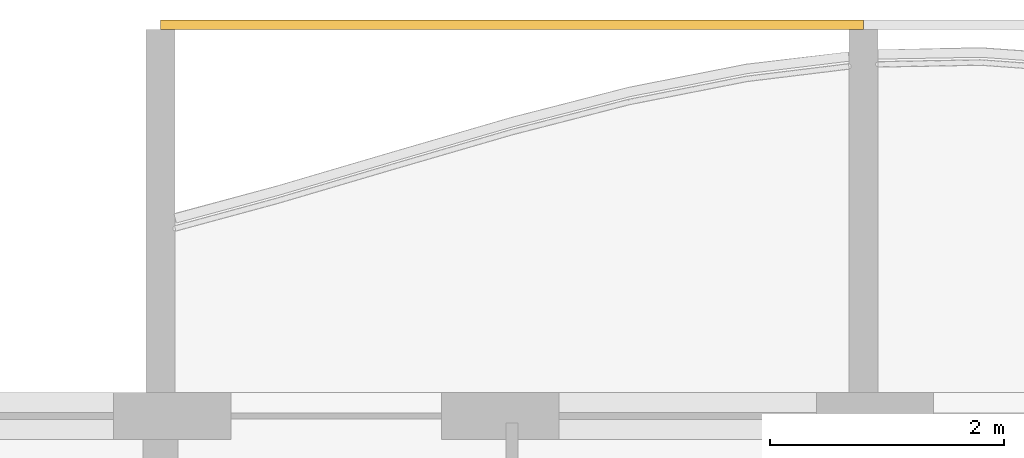
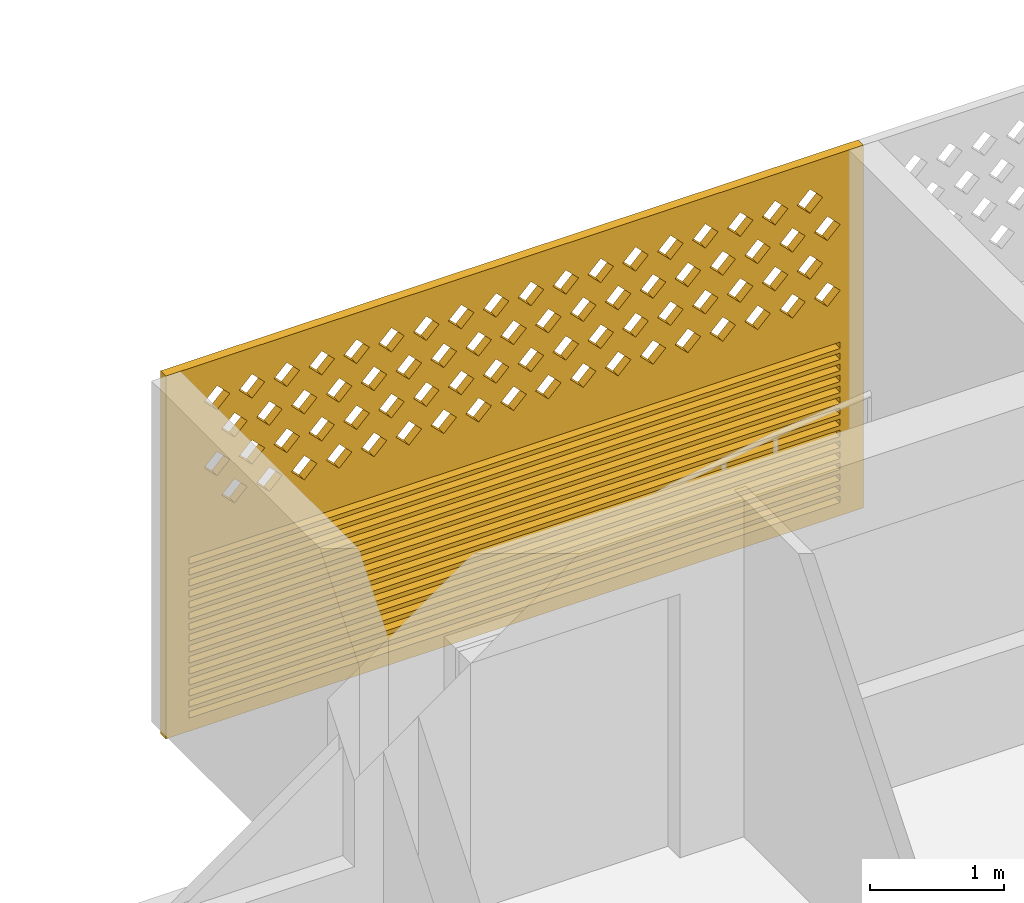
# One storey, part 24 of 32: 1 covering.
"""IFC4 building model written with IfcOpenShell, lengths in metres."""

import ifcopenshell
import ifcopenshell.guid

model = None  # the IFC model being written
_history = None  # IfcOwnerHistory: only IFC2X3 demands one
_inside = {}  # id of a spatial element -> (the spatial element, [elements in it])
_under = {}  # id of a project, library or spatial element -> (it, [spatial elements below it])
_declared = {}  # id of a project -> (the project, [libraries it declares])
_typed = {}  # id of a type object -> (the type object, [elements of that type])
_made_of = {}  # id of a material, layer set ... -> (it, [elements and type objects made of it])


def new_model(schema):
    """Start an empty IFC model of exactly this schema.

    Asked for "IFC4X3", IfcOpenShell would pick the latest addendum, in which some entities
    have other attributes; the version numbers below select the first issue.
    IFC2X3 requires an IfcOwnerHistory on every rooted entity: one is made here for all.
    """
    global model, _history
    if schema == "IFC4X3":
        model = ifcopenshell.file(schema_version=(4, 3, 0, 0))
    else:
        model = ifcopenshell.file(schema=schema)
    _inside.clear()
    _under.clear()
    _declared.clear()
    _typed.clear()
    _made_of.clear()
    _history = None
    if model.schema == "IFC2X3":
        org = make("IfcOrganization", Name="unknown")
        user = make(
            "IfcPersonAndOrganization",
            ThePerson=make("IfcPerson", FamilyName="unknown"),
            TheOrganization=org,
        )
        app = make(
            "IfcApplication",
            ApplicationDeveloper=org,
            Version="unknown",
            ApplicationFullName="unknown",
            ApplicationIdentifier="unknown",
        )
        _history = make(
            "IfcOwnerHistory",
            OwningUser=user,
            OwningApplication=app,
            ChangeAction="ADDED",
            CreationDate=0,
        )
    return model


def make(cls, **values):
    """One entity of the class cls with the attributes given. An attribute that is None is left unset."""
    return model.create_entity(
        cls, **{name: value for name, value in values.items() if value is not None}
    )


def rooted(cls, **values):
    """An entity with a GlobalId (a new one), such as an element, a storey or a relation."""
    return make(cls, GlobalId=ifcopenshell.guid.new(), OwnerHistory=_history, **values)


def si_unit(unit_type, name, prefix=None):
    """IfcSIUnit, for example si_unit("LENGTHUNIT", "METRE", prefix="MILLI")."""
    return make("IfcSIUnit", UnitType=unit_type, Prefix=prefix, Name=name)


def assignment(units):
    """IfcUnitAssignment: the units of a project."""
    return None if units is None else make("IfcUnitAssignment", Units=units)


def point(xyz):
    """IfcCartesianPoint."""
    return None if xyz is None else make("IfcCartesianPoint", Coordinates=xyz)


def direction(xyz):
    """IfcDirection."""
    return None if xyz is None else make("IfcDirection", DirectionRatios=xyz)


def frame(location, z_axis=None, x_axis=None):
    """IfcAxis2Placement3D, a coordinate frame: its origin and axes. An axis left out is left unset."""
    return make(
        "IfcAxis2Placement3D",
        Location=point(location),
        Axis=direction(z_axis),
        RefDirection=direction(x_axis),
    )


def origin():
    """The frame at (0, 0, 0) with its axes left unset."""
    return frame((0.0, 0.0, 0.0))


def place(relative_to, where):
    """IfcLocalPlacement: puts the frame where relative to a parent placement (None: the world)."""
    return make(
        "IfcLocalPlacement", PlacementRelTo=relative_to, RelativePlacement=where
    )


def context(
    kind, dimensions, precision=None, world=None, true_north=None, identifier=None
):
    """IfcGeometricRepresentationContext, for example the 3D "Model" context."""
    return make(
        "IfcGeometricRepresentationContext",
        ContextIdentifier=identifier,
        ContextType=kind,
        CoordinateSpaceDimension=dimensions,
        Precision=precision,
        WorldCoordinateSystem=world,
        TrueNorth=true_north,
    )


def subcontext(parent, identifier, kind, view, scale=None):
    """IfcGeometricRepresentationSubContext, for example "Body" below "Model"."""
    return make(
        "IfcGeometricRepresentationSubContext",
        ContextIdentifier=identifier,
        ContextType=kind,
        ParentContext=parent,
        TargetScale=scale,
        TargetView=view,
    )


def project(units=None, contexts=None):
    """IfcProject with its units and contexts."""
    return rooted(
        "IfcProject",
        Name="project",
        RepresentationContexts=contexts,
        UnitsInContext=assignment(units),
    )


def spatial(cls, under=None, at=None, **own):
    """A site, building, storey or space (cls), placed at a placement, below another one or the project."""
    s = rooted(cls, ObjectPlacement=at, **own)
    if under is not None:
        _under.setdefault(under.id(), (under, []))[1].append(s)
    return s


def polyline(points):
    """IfcPolyline through the points."""
    return make("IfcPolyline", Points=[point(p) for p in points])


def outline(outer, holes=None, kind="AREA"):
    """IfcArbitraryClosedProfileDef: a profile drawn as a closed curve; with holes, ...WithVoids."""
    if holes is None:
        return make("IfcArbitraryClosedProfileDef", ProfileType=kind, OuterCurve=outer)
    return make(
        "IfcArbitraryProfileDefWithVoids",
        ProfileType=kind,
        OuterCurve=outer,
        InnerCurves=holes,
    )


def extrude(swept, where, along, depth):
    """IfcExtrudedAreaSolid: the profile swept, set in the frame where, extruded along a direction by depth."""
    return make(
        "IfcExtrudedAreaSolid",
        SweptArea=swept,
        Position=where,
        ExtrudedDirection=direction(along),
        Depth=depth,
    )


def shape(context_of_items, identifier, shape_type, items):
    """IfcShapeRepresentation: the items that make up one representation, for example the "Body"."""
    return make(
        "IfcShapeRepresentation",
        ContextOfItems=context_of_items,
        RepresentationIdentifier=identifier,
        RepresentationType=shape_type,
        Items=items,
    )


def source(mapping_origin, context_of_items, identifier, shape_type, items):
    """IfcRepresentationMap: a shape defined once, which mapped items show again and again."""
    return make(
        "IfcRepresentationMap",
        MappingOrigin=mapping_origin,
        MappedRepresentation=shape(context_of_items, identifier, shape_type, items),
    )


def transform(
    local_origin,
    x_axis=None,
    y_axis=None,
    z_axis=None,
    scale=None,
    scale2=None,
    scale3=None,
    uniform=True,
):
    """IfcCartesianTransformationOperator3D, or its non-uniform kind. x_axis, y_axis, z_axis: its Axis1, 2, 3."""
    if uniform:
        return make(
            "IfcCartesianTransformationOperator3D",
            Axis1=direction(x_axis),
            Axis2=direction(y_axis),
            LocalOrigin=point(local_origin),
            Scale=scale,
            Axis3=direction(z_axis),
        )
    return make(
        "IfcCartesianTransformationOperator3DnonUniform",
        Axis1=direction(x_axis),
        Axis2=direction(y_axis),
        LocalOrigin=point(local_origin),
        Scale=scale,
        Axis3=direction(z_axis),
        Scale2=scale2,
        Scale3=scale3,
    )


def mapped(mapping_source, mapping_target):
    """IfcMappedItem: shows the shape of a source again, moved by a transform."""
    return make(
        "IfcMappedItem", MappingSource=mapping_source, MappingTarget=mapping_target
    )


def material(Name=None, Category=None):
    """IfcMaterial."""
    return make("IfcMaterial", Name=Name, Category=Category)


def material_profile(
    of_material, cross_section, Name=None, Category=None, Priority=None
):
    """IfcMaterialProfile: a cross section and its material."""
    return make(
        "IfcMaterialProfile",
        Name=Name,
        Material=of_material,
        Profile=cross_section,
        Priority=Priority,
        Category=Category,
    )


def profile_set(profiles, Name=None, composite=None):
    """IfcMaterialProfileSet."""
    return make(
        "IfcMaterialProfileSet",
        Name=Name,
        MaterialProfiles=profiles,
        CompositeProfile=composite,
    )


def made_of(thing, what):
    """Note that an element or type object is made of a material, layer set ...; save() writes the relation."""
    if what is not None:
        _made_of.setdefault(what.id(), (what, []))[1].append(thing)
    return thing


def type_object(cls, material=None, **own):
    """A type object (cls), such as IfcWallType, which elements share."""
    return made_of(rooted(cls, **own), material)


def element(
    cls,
    number,
    at=None,
    inside=None,
    cuts=None,
    type_object=None,
    material=None,
    context=None,
    identifier="Body",
    shape_type=None,
    held_by="IfcProductDefinitionShape",
    body=None,
    shapes=None,
    **own,
):
    """One element of the class cls, such as IfcWall. Its Tag is "e" and its number.

    at: its placement. inside: the storey or other place that contains it. cuts: it is an
    opening in that element (IfcRelVoidsElement). A single representation is given by context,
    identifier, shape_type and body (its items); several are given by shapes. held_by: the class
    of the entity that holds the representations. save() writes the other relations.
    """
    e = rooted(cls, Tag="e%d" % number, ObjectPlacement=at, **own)
    if body is not None:
        shapes = [shape(context, identifier, shape_type, body)]
    if shapes is not None:
        e.Representation = make(held_by, Representations=shapes)
    if inside is not None:
        _inside.setdefault(inside.id(), (inside, []))[1].append(e)
    if cuts is not None:
        rooted(
            "IfcRelVoidsElement", RelatingBuildingElement=cuts, RelatedOpeningElement=e
        )
    if type_object is not None:
        _typed.setdefault(type_object.id(), (type_object, []))[1].append(e)
    return made_of(e, material)


def aggregate(whole, parts):
    """IfcRelAggregates: a whole, such as a stair, and the parts it consists of."""
    return rooted("IfcRelAggregates", RelatingObject=whole, RelatedObjects=parts)


def save(model, path):
    """Write the relations noted so far, then the file.

    IfcRelAggregates (storeys below a building ...), IfcRelContainedInSpatialStructure (elements
    in a storey), IfcRelDefinesByType, IfcRelAssociatesMaterial and IfcRelDeclares: one each for
    every whole, place, type object, material and project.
    """
    for whole, parts in _under.values():
        aggregate(whole, parts)
    for where, things in _inside.values():
        rooted(
            "IfcRelContainedInSpatialStructure",
            RelatedElements=things,
            RelatingStructure=where,
        )
    for kind, things in _typed.values():
        rooted("IfcRelDefinesByType", RelatedObjects=things, RelatingType=kind)
    for what, things in _made_of.values():
        rooted("IfcRelAssociatesMaterial", RelatedObjects=things, RelatingMaterial=what)
    for by, libraries in _declared.values():
        rooted("IfcRelDeclares", RelatingContext=by, RelatedDefinitions=libraries)
    model.write(path)


model = new_model("IFC4")

# Units and contexts
model_context = context("Model", 3, precision=1e-05, world=origin(), true_north=direction((0.0, 1.0)))
body_context = subcontext(model_context, "Body", "Model", "MODEL_VIEW")
ifc_project = project(units=[si_unit("LENGTHUNIT", "METRE"), si_unit("AREAUNIT", "SQUARE_METRE"), si_unit("VOLUMEUNIT", "CUBIC_METRE"), si_unit("PLANEANGLEUNIT", "RADIAN"), si_unit("MASSUNIT", "GRAM", prefix="KILO")], contexts=[model_context])

# Site, building, storey
site_placement = place(None, origin())
site = spatial("IfcSite", under=ifc_project, at=site_placement, CompositionType="ELEMENT")
building_placement = place(site_placement, origin())
building = spatial("IfcBuilding", under=site, at=building_placement, Name="Poui Terraces", CompositionType="ELEMENT")
storey_placement = place(building_placement, frame((0.0, 0.0, 152.10009765625)))
storey = spatial("IfcBuildingStorey", under=building, at=storey_placement, Name="L42", CompositionType="ELEMENT", Elevation=152.10009765625)

# Covering
ifc_material = material(Name="Terracotta screen", Category="masonry")
ifc_material_profile = material_profile(ifc_material, outline(polyline([(-3.0, -1.64990234375), (3.0, -1.64990234375), (3.0, 1.64990234375), (-3.0, 1.64990234375), (-3.0, -1.64990234375)]), holes=[polyline([(-2.800048828125, 0.39990234375), (-2.68994140625, 0.2900390625), (-2.580078125, 0.39990234375), (-2.68994140625, 0.510009765625), (-2.800048828125, 0.39990234375)]), polyline([(-2.5, 0.39990234375), (-2.389892578125, 0.2900390625), (-2.280029296875, 0.39990234375), (-2.389892578125, 0.510009765625), (-2.5, 0.39990234375)]), polyline([(-2.199951171875, 0.39990234375), (-2.090087890625, 0.2900390625), (-1.97998046875, 0.39990234375), (-2.090087890625, 0.510009765625), (-2.199951171875, 0.39990234375)]), polyline([(-1.89990234375, 0.39990234375), (-1.7900390625, 0.2900390625), (-1.679931640625, 0.39990234375), (-1.7900390625, 0.510009765625), (-1.89990234375, 0.39990234375)]), polyline([(-1.60009765625, 0.39990234375), (-1.489990234375, 0.2900390625), (-1.3798828125, 0.39990234375), (-1.489990234375, 0.510009765625), (-1.60009765625, 0.39990234375)]), polyline([(-1.300048828125, 0.39990234375), (-1.18994140625, 0.2900390625), (-1.080078125, 0.39990234375), (-1.18994140625, 0.510009765625), (-1.300048828125, 0.39990234375)]), polyline([(-1.0, 0.39990234375), (-0.889892578125, 0.2900390625), (-0.780029296875, 0.39990234375), (-0.889892578125, 0.510009765625), (-1.0, 0.39990234375)]), polyline([(-0.699951171875, 0.39990234375), (-0.590087890625, 0.2900390625), (-0.47998046875, 0.39990234375), (-0.590087890625, 0.510009765625), (-0.699951171875, 0.39990234375)]), polyline([(-0.39990234375, 0.39990234375), (-0.2900390625, 0.2900390625), (-0.179931640625, 0.39990234375), (-0.2900390625, 0.510009765625), (-0.39990234375, 0.39990234375)]), polyline([(-0.10009765625, 0.39990234375), (0.010009765625, 0.2900390625), (0.1201171875, 0.39990234375), (0.010009765625, 0.510009765625), (-0.10009765625, 0.39990234375)]), polyline([(0.199951171875, 0.39990234375), (0.31005859375, 0.2900390625), (0.419921875, 0.39990234375), (0.31005859375, 0.510009765625), (0.199951171875, 0.39990234375)]), polyline([(0.5, 0.39990234375), (0.610107421875, 0.2900390625), (0.719970703125, 0.39990234375), (0.610107421875, 0.510009765625), (0.5, 0.39990234375)]), polyline([(0.800048828125, 0.39990234375), (0.909912109375, 0.2900390625), (1.02001953125, 0.39990234375), (0.909912109375, 0.510009765625), (0.800048828125, 0.39990234375)]), polyline([(1.10009765625, 0.39990234375), (1.2099609375, 0.2900390625), (1.320068359375, 0.39990234375), (1.2099609375, 0.510009765625), (1.10009765625, 0.39990234375)]), polyline([(1.39990234375, 0.39990234375), (1.510009765625, 0.2900390625), (1.6201171875, 0.39990234375), (1.510009765625, 0.510009765625), (1.39990234375, 0.39990234375)]), polyline([(1.699951171875, 0.39990234375), (1.81005859375, 0.2900390625), (1.919921875, 0.39990234375), (1.81005859375, 0.510009765625), (1.699951171875, 0.39990234375)]), polyline([(2.0, 0.39990234375), (2.110107421875, 0.2900390625), (2.219970703125, 0.39990234375), (2.110107421875, 0.510009765625), (2.0, 0.39990234375)]), polyline([(2.300048828125, 0.39990234375), (2.409912109375, 0.2900390625), (2.52001953125, 0.39990234375), (2.409912109375, 0.510009765625), (2.300048828125, 0.39990234375)]), polyline([(-2.64990234375, 0.699951171875), (-2.5400390625, 0.590087890625), (-2.429931640625, 0.699951171875), (-2.5400390625, 0.81005859375), (-2.64990234375, 0.699951171875)]), polyline([(-2.35009765625, 0.699951171875), (-2.239990234375, 0.590087890625), (-2.1298828125, 0.699951171875), (-2.239990234375, 0.81005859375), (-2.35009765625, 0.699951171875)]), polyline([(-2.050048828125, 0.699951171875), (-1.93994140625, 0.590087890625), (-1.830078125, 0.699951171875), (-1.93994140625, 0.81005859375), (-2.050048828125, 0.699951171875)]), polyline([(-1.75, 0.699951171875), (-1.639892578125, 0.590087890625), (-1.530029296875, 0.699951171875), (-1.639892578125, 0.81005859375), (-1.75, 0.699951171875)]), polyline([(-1.449951171875, 0.699951171875), (-1.340087890625, 0.590087890625), (-1.22998046875, 0.699951171875), (-1.340087890625, 0.81005859375), (-1.449951171875, 0.699951171875)]), polyline([(-1.14990234375, 0.699951171875), (-1.0400390625, 0.590087890625), (-0.929931640625, 0.699951171875), (-1.0400390625, 0.81005859375), (-1.14990234375, 0.699951171875)]), polyline([(-0.85009765625, 0.699951171875), (-0.739990234375, 0.590087890625), (-0.6298828125, 0.699951171875), (-0.739990234375, 0.81005859375), (-0.85009765625, 0.699951171875)]), polyline([(-0.550048828125, 0.699951171875), (-0.43994140625, 0.590087890625), (-0.330078125, 0.699951171875), (-0.43994140625, 0.81005859375), (-0.550048828125, 0.699951171875)]), polyline([(-0.25, 0.699951171875), (-0.139892578125, 0.590087890625), (-0.030029296875, 0.699951171875), (-0.139892578125, 0.81005859375), (-0.25, 0.699951171875)]), polyline([(0.050048828125, 0.699951171875), (0.159912109375, 0.590087890625), (0.27001953125, 0.699951171875), (0.159912109375, 0.81005859375), (0.050048828125, 0.699951171875)]), polyline([(0.35009765625, 0.699951171875), (0.4599609375, 0.590087890625), (0.570068359375, 0.699951171875), (0.4599609375, 0.81005859375), (0.35009765625, 0.699951171875)]), polyline([(0.64990234375, 0.699951171875), (0.760009765625, 0.590087890625), (0.8701171875, 0.699951171875), (0.760009765625, 0.81005859375), (0.64990234375, 0.699951171875)]), polyline([(0.949951171875, 0.699951171875), (1.06005859375, 0.590087890625), (1.169921875, 0.699951171875), (1.06005859375, 0.81005859375), (0.949951171875, 0.699951171875)]), polyline([(1.25, 0.699951171875), (1.360107421875, 0.590087890625), (1.469970703125, 0.699951171875), (1.360107421875, 0.81005859375), (1.25, 0.699951171875)]), polyline([(1.550048828125, 0.699951171875), (1.659912109375, 0.590087890625), (1.77001953125, 0.699951171875), (1.659912109375, 0.81005859375), (1.550048828125, 0.699951171875)]), polyline([(1.85009765625, 0.699951171875), (1.9599609375, 0.590087890625), (2.070068359375, 0.699951171875), (1.9599609375, 0.81005859375), (1.85009765625, 0.699951171875)]), polyline([(2.14990234375, 0.699951171875), (2.260009765625, 0.590087890625), (2.3701171875, 0.699951171875), (2.260009765625, 0.81005859375), (2.14990234375, 0.699951171875)]), polyline([(2.449951171875, 0.699951171875), (2.56005859375, 0.590087890625), (2.669921875, 0.699951171875), (2.56005859375, 0.81005859375), (2.449951171875, 0.699951171875)]), polyline([(-2.800048828125, 1.0), (-2.68994140625, 0.889892578125), (-2.580078125, 1.0), (-2.68994140625, 1.110107421875), (-2.800048828125, 1.0)]), polyline([(-2.5, 1.0), (-2.389892578125, 0.889892578125), (-2.280029296875, 1.0), (-2.389892578125, 1.110107421875), (-2.5, 1.0)]), polyline([(-2.199951171875, 1.0), (-2.090087890625, 0.889892578125), (-1.97998046875, 1.0), (-2.090087890625, 1.110107421875), (-2.199951171875, 1.0)]), polyline([(-1.89990234375, 1.0), (-1.7900390625, 0.889892578125), (-1.679931640625, 1.0), (-1.7900390625, 1.110107421875), (-1.89990234375, 1.0)]), polyline([(-1.60009765625, 1.0), (-1.489990234375, 0.889892578125), (-1.3798828125, 1.0), (-1.489990234375, 1.110107421875), (-1.60009765625, 1.0)]), polyline([(-1.300048828125, 1.0), (-1.18994140625, 0.889892578125), (-1.080078125, 1.0), (-1.18994140625, 1.110107421875), (-1.300048828125, 1.0)]), polyline([(-1.0, 1.0), (-0.889892578125, 0.889892578125), (-0.780029296875, 1.0), (-0.889892578125, 1.110107421875), (-1.0, 1.0)]), polyline([(-0.699951171875, 1.0), (-0.590087890625, 0.889892578125), (-0.47998046875, 1.0), (-0.590087890625, 1.110107421875), (-0.699951171875, 1.0)]), polyline([(-0.39990234375, 1.0), (-0.2900390625, 0.889892578125), (-0.179931640625, 1.0), (-0.2900390625, 1.110107421875), (-0.39990234375, 1.0)]), polyline([(-0.10009765625, 1.0), (0.010009765625, 0.889892578125), (0.1201171875, 1.0), (0.010009765625, 1.110107421875), (-0.10009765625, 1.0)]), polyline([(0.199951171875, 1.0), (0.31005859375, 0.889892578125), (0.419921875, 1.0), (0.31005859375, 1.110107421875), (0.199951171875, 1.0)]), polyline([(0.5, 1.0), (0.610107421875, 0.889892578125), (0.719970703125, 1.0), (0.610107421875, 1.110107421875), (0.5, 1.0)]), polyline([(0.800048828125, 1.0), (0.909912109375, 0.889892578125), (1.02001953125, 1.0), (0.909912109375, 1.110107421875), (0.800048828125, 1.0)]), polyline([(1.10009765625, 1.0), (1.2099609375, 0.889892578125), (1.320068359375, 1.0), (1.2099609375, 1.110107421875), (1.10009765625, 1.0)]), polyline([(1.39990234375, 1.0), (1.510009765625, 0.889892578125), (1.6201171875, 1.0), (1.510009765625, 1.110107421875), (1.39990234375, 1.0)]), polyline([(1.699951171875, 1.0), (1.81005859375, 0.889892578125), (1.919921875, 1.0), (1.81005859375, 1.110107421875), (1.699951171875, 1.0)]), polyline([(2.0, 1.0), (2.110107421875, 0.889892578125), (2.219970703125, 1.0), (2.110107421875, 1.110107421875), (2.0, 1.0)]), polyline([(2.300048828125, 1.0), (2.409912109375, 0.889892578125), (2.52001953125, 1.0), (2.409912109375, 1.110107421875), (2.300048828125, 1.0)]), polyline([(-2.64990234375, 1.300048828125), (-2.5400390625, 1.18994140625), (-2.429931640625, 1.300048828125), (-2.5400390625, 1.409912109375), (-2.64990234375, 1.300048828125)]), polyline([(-2.35009765625, 1.300048828125), (-2.239990234375, 1.18994140625), (-2.1298828125, 1.300048828125), (-2.239990234375, 1.409912109375), (-2.35009765625, 1.300048828125)]), polyline([(-2.050048828125, 1.300048828125), (-1.93994140625, 1.18994140625), (-1.830078125, 1.300048828125), (-1.93994140625, 1.409912109375), (-2.050048828125, 1.300048828125)]), polyline([(-1.75, 1.300048828125), (-1.639892578125, 1.18994140625), (-1.530029296875, 1.300048828125), (-1.639892578125, 1.409912109375), (-1.75, 1.300048828125)]), polyline([(-1.449951171875, 1.300048828125), (-1.340087890625, 1.18994140625), (-1.22998046875, 1.300048828125), (-1.340087890625, 1.409912109375), (-1.449951171875, 1.300048828125)]), polyline([(-1.14990234375, 1.300048828125), (-1.0400390625, 1.18994140625), (-0.929931640625, 1.300048828125), (-1.0400390625, 1.409912109375), (-1.14990234375, 1.300048828125)]), polyline([(-0.85009765625, 1.300048828125), (-0.739990234375, 1.18994140625), (-0.6298828125, 1.300048828125), (-0.739990234375, 1.409912109375), (-0.85009765625, 1.300048828125)]), polyline([(-0.550048828125, 1.300048828125), (-0.43994140625, 1.18994140625), (-0.330078125, 1.300048828125), (-0.43994140625, 1.409912109375), (-0.550048828125, 1.300048828125)]), polyline([(-0.25, 1.300048828125), (-0.139892578125, 1.18994140625), (-0.030029296875, 1.300048828125), (-0.139892578125, 1.409912109375), (-0.25, 1.300048828125)]), polyline([(0.050048828125, 1.300048828125), (0.159912109375, 1.18994140625), (0.27001953125, 1.300048828125), (0.159912109375, 1.409912109375), (0.050048828125, 1.300048828125)]), polyline([(0.35009765625, 1.300048828125), (0.4599609375, 1.18994140625), (0.570068359375, 1.300048828125), (0.4599609375, 1.409912109375), (0.35009765625, 1.300048828125)]), polyline([(0.64990234375, 1.300048828125), (0.760009765625, 1.18994140625), (0.8701171875, 1.300048828125), (0.760009765625, 1.409912109375), (0.64990234375, 1.300048828125)]), polyline([(0.949951171875, 1.300048828125), (1.06005859375, 1.18994140625), (1.169921875, 1.300048828125), (1.06005859375, 1.409912109375), (0.949951171875, 1.300048828125)]), polyline([(1.25, 1.300048828125), (1.360107421875, 1.18994140625), (1.469970703125, 1.300048828125), (1.360107421875, 1.409912109375), (1.25, 1.300048828125)]), polyline([(1.550048828125, 1.300048828125), (1.659912109375, 1.18994140625), (1.77001953125, 1.300048828125), (1.659912109375, 1.409912109375), (1.550048828125, 1.300048828125)]), polyline([(1.85009765625, 1.300048828125), (1.9599609375, 1.18994140625), (2.070068359375, 1.300048828125), (1.9599609375, 1.409912109375), (1.85009765625, 1.300048828125)]), polyline([(2.14990234375, 1.300048828125), (2.260009765625, 1.18994140625), (2.3701171875, 1.300048828125), (2.260009765625, 1.409912109375), (2.14990234375, 1.300048828125)]), polyline([(2.449951171875, 1.300048828125), (2.56005859375, 1.18994140625), (2.669921875, 1.300048828125), (2.56005859375, 1.409912109375), (2.449951171875, 1.300048828125)]), polyline([(-2.800048828125, -1.530029296875), (2.800048828125, -1.530029296875), (2.800048828125, -1.469970703125), (-2.800048828125, -1.469970703125), (-2.800048828125, -1.530029296875)]), polyline([(-2.800048828125, -1.429931640625), (2.800048828125, -1.429931640625), (2.800048828125, -1.3701171875), (-2.800048828125, -1.3701171875), (-2.800048828125, -1.429931640625)]), polyline([(-2.800048828125, -1.330078125), (2.800048828125, -1.330078125), (2.800048828125, -1.27001953125), (-2.800048828125, -1.27001953125), (-2.800048828125, -1.330078125)]), polyline([(-2.800048828125, -1.22998046875), (2.800048828125, -1.22998046875), (2.800048828125, -1.169921875), (-2.800048828125, -1.169921875), (-2.800048828125, -1.22998046875)]), polyline([(-2.800048828125, -1.1298828125), (2.800048828125, -1.1298828125), (2.800048828125, -1.070068359375), (-2.800048828125, -1.070068359375), (-2.800048828125, -1.1298828125)]), polyline([(-2.800048828125, -1.030029296875), (2.800048828125, -1.030029296875), (2.800048828125, -0.969970703125), (-2.800048828125, -0.969970703125), (-2.800048828125, -1.030029296875)]), polyline([(-2.800048828125, -0.929931640625), (2.800048828125, -0.929931640625), (2.800048828125, -0.8701171875), (-2.800048828125, -0.8701171875), (-2.800048828125, -0.929931640625)]), polyline([(-2.800048828125, -0.830078125), (2.800048828125, -0.830078125), (2.800048828125, -0.77001953125), (-2.800048828125, -0.77001953125), (-2.800048828125, -0.830078125)]), polyline([(-2.800048828125, -0.72998046875), (2.800048828125, -0.72998046875), (2.800048828125, -0.669921875), (-2.800048828125, -0.669921875), (-2.800048828125, -0.72998046875)]), polyline([(-2.800048828125, -0.6298828125), (2.800048828125, -0.6298828125), (2.800048828125, -0.570068359375), (-2.800048828125, -0.570068359375), (-2.800048828125, -0.6298828125)]), polyline([(-2.800048828125, -0.530029296875), (2.800048828125, -0.530029296875), (2.800048828125, -0.469970703125), (-2.800048828125, -0.469970703125), (-2.800048828125, -0.530029296875)]), polyline([(-2.800048828125, -0.429931640625), (2.800048828125, -0.429931640625), (2.800048828125, -0.3701171875), (-2.800048828125, -0.3701171875), (-2.800048828125, -0.429931640625)]), polyline([(-2.800048828125, -0.330078125), (2.800048828125, -0.330078125), (2.800048828125, -0.27001953125), (-2.800048828125, -0.27001953125), (-2.800048828125, -0.330078125)]), polyline([(-2.800048828125, -0.22998046875), (2.800048828125, -0.22998046875), (2.800048828125, -0.169921875), (-2.800048828125, -0.169921875), (-2.800048828125, -0.22998046875)]), polyline([(-2.800048828125, -0.1298828125), (2.800048828125, -0.1298828125), (2.800048828125, -0.070068359375), (-2.800048828125, -0.070068359375), (-2.800048828125, -0.1298828125)])]), Name="TERRACOTTA SCREEN AND JALOUSIE LOUVRE 6000X3300")
ifc_profile_set = profile_set([ifc_material_profile], Name="Terracotta screen")
covering_type = type_object("IfcCoveringType", Name="TERRACOTTA SCREEN AND JALOUSIE LOUVRE 6000X3300", PredefinedType="CLADDING", material=ifc_profile_set)
shared_shape = source(origin(), body_context, "Body", "SweptSolid", [
    extrude(outline(polyline([(-3.0, -1.64990234375), (3.0, -1.64990234375), (3.0, 1.64990234375), (-3.0, 1.64990234375), (-3.0, -1.64990234375)]), holes=[polyline([(-2.800048828125, 0.39990234375), (-2.68994140625, 0.2900390625), (-2.580078125, 0.39990234375), (-2.68994140625, 0.510009765625), (-2.800048828125, 0.39990234375)]), polyline([(-2.5, 0.39990234375), (-2.389892578125, 0.2900390625), (-2.280029296875, 0.39990234375), (-2.389892578125, 0.510009765625), (-2.5, 0.39990234375)]), polyline([(-2.199951171875, 0.39990234375), (-2.090087890625, 0.2900390625), (-1.97998046875, 0.39990234375), (-2.090087890625, 0.510009765625), (-2.199951171875, 0.39990234375)]), polyline([(-1.89990234375, 0.39990234375), (-1.7900390625, 0.2900390625), (-1.679931640625, 0.39990234375), (-1.7900390625, 0.510009765625), (-1.89990234375, 0.39990234375)]), polyline([(-1.60009765625, 0.39990234375), (-1.489990234375, 0.2900390625), (-1.3798828125, 0.39990234375), (-1.489990234375, 0.510009765625), (-1.60009765625, 0.39990234375)]), polyline([(-1.300048828125, 0.39990234375), (-1.18994140625, 0.2900390625), (-1.080078125, 0.39990234375), (-1.18994140625, 0.510009765625), (-1.300048828125, 0.39990234375)]), polyline([(-1.0, 0.39990234375), (-0.889892578125, 0.2900390625), (-0.780029296875, 0.39990234375), (-0.889892578125, 0.510009765625), (-1.0, 0.39990234375)]), polyline([(-0.699951171875, 0.39990234375), (-0.590087890625, 0.2900390625), (-0.47998046875, 0.39990234375), (-0.590087890625, 0.510009765625), (-0.699951171875, 0.39990234375)]), polyline([(-0.39990234375, 0.39990234375), (-0.2900390625, 0.2900390625), (-0.179931640625, 0.39990234375), (-0.2900390625, 0.510009765625), (-0.39990234375, 0.39990234375)]), polyline([(-0.10009765625, 0.39990234375), (0.010009765625, 0.2900390625), (0.1201171875, 0.39990234375), (0.010009765625, 0.510009765625), (-0.10009765625, 0.39990234375)]), polyline([(0.199951171875, 0.39990234375), (0.31005859375, 0.2900390625), (0.419921875, 0.39990234375), (0.31005859375, 0.510009765625), (0.199951171875, 0.39990234375)]), polyline([(0.5, 0.39990234375), (0.610107421875, 0.2900390625), (0.719970703125, 0.39990234375), (0.610107421875, 0.510009765625), (0.5, 0.39990234375)]), polyline([(0.800048828125, 0.39990234375), (0.909912109375, 0.2900390625), (1.02001953125, 0.39990234375), (0.909912109375, 0.510009765625), (0.800048828125, 0.39990234375)]), polyline([(1.10009765625, 0.39990234375), (1.2099609375, 0.2900390625), (1.320068359375, 0.39990234375), (1.2099609375, 0.510009765625), (1.10009765625, 0.39990234375)]), polyline([(1.39990234375, 0.39990234375), (1.510009765625, 0.2900390625), (1.6201171875, 0.39990234375), (1.510009765625, 0.510009765625), (1.39990234375, 0.39990234375)]), polyline([(1.699951171875, 0.39990234375), (1.81005859375, 0.2900390625), (1.919921875, 0.39990234375), (1.81005859375, 0.510009765625), (1.699951171875, 0.39990234375)]), polyline([(2.0, 0.39990234375), (2.110107421875, 0.2900390625), (2.219970703125, 0.39990234375), (2.110107421875, 0.510009765625), (2.0, 0.39990234375)]), polyline([(2.300048828125, 0.39990234375), (2.409912109375, 0.2900390625), (2.52001953125, 0.39990234375), (2.409912109375, 0.510009765625), (2.300048828125, 0.39990234375)]), polyline([(-2.64990234375, 0.699951171875), (-2.5400390625, 0.590087890625), (-2.429931640625, 0.699951171875), (-2.5400390625, 0.81005859375), (-2.64990234375, 0.699951171875)]), polyline([(-2.35009765625, 0.699951171875), (-2.239990234375, 0.590087890625), (-2.1298828125, 0.699951171875), (-2.239990234375, 0.81005859375), (-2.35009765625, 0.699951171875)]), polyline([(-2.050048828125, 0.699951171875), (-1.93994140625, 0.590087890625), (-1.830078125, 0.699951171875), (-1.93994140625, 0.81005859375), (-2.050048828125, 0.699951171875)]), polyline([(-1.75, 0.699951171875), (-1.639892578125, 0.590087890625), (-1.530029296875, 0.699951171875), (-1.639892578125, 0.81005859375), (-1.75, 0.699951171875)]), polyline([(-1.449951171875, 0.699951171875), (-1.340087890625, 0.590087890625), (-1.22998046875, 0.699951171875), (-1.340087890625, 0.81005859375), (-1.449951171875, 0.699951171875)]), polyline([(-1.14990234375, 0.699951171875), (-1.0400390625, 0.590087890625), (-0.929931640625, 0.699951171875), (-1.0400390625, 0.81005859375), (-1.14990234375, 0.699951171875)]), polyline([(-0.85009765625, 0.699951171875), (-0.739990234375, 0.590087890625), (-0.6298828125, 0.699951171875), (-0.739990234375, 0.81005859375), (-0.85009765625, 0.699951171875)]), polyline([(-0.550048828125, 0.699951171875), (-0.43994140625, 0.590087890625), (-0.330078125, 0.699951171875), (-0.43994140625, 0.81005859375), (-0.550048828125, 0.699951171875)]), polyline([(-0.25, 0.699951171875), (-0.139892578125, 0.590087890625), (-0.030029296875, 0.699951171875), (-0.139892578125, 0.81005859375), (-0.25, 0.699951171875)]), polyline([(0.050048828125, 0.699951171875), (0.159912109375, 0.590087890625), (0.27001953125, 0.699951171875), (0.159912109375, 0.81005859375), (0.050048828125, 0.699951171875)]), polyline([(0.35009765625, 0.699951171875), (0.4599609375, 0.590087890625), (0.570068359375, 0.699951171875), (0.4599609375, 0.81005859375), (0.35009765625, 0.699951171875)]), polyline([(0.64990234375, 0.699951171875), (0.760009765625, 0.590087890625), (0.8701171875, 0.699951171875), (0.760009765625, 0.81005859375), (0.64990234375, 0.699951171875)]), polyline([(0.949951171875, 0.699951171875), (1.06005859375, 0.590087890625), (1.169921875, 0.699951171875), (1.06005859375, 0.81005859375), (0.949951171875, 0.699951171875)]), polyline([(1.25, 0.699951171875), (1.360107421875, 0.590087890625), (1.469970703125, 0.699951171875), (1.360107421875, 0.81005859375), (1.25, 0.699951171875)]), polyline([(1.550048828125, 0.699951171875), (1.659912109375, 0.590087890625), (1.77001953125, 0.699951171875), (1.659912109375, 0.81005859375), (1.550048828125, 0.699951171875)]), polyline([(1.85009765625, 0.699951171875), (1.9599609375, 0.590087890625), (2.070068359375, 0.699951171875), (1.9599609375, 0.81005859375), (1.85009765625, 0.699951171875)]), polyline([(2.14990234375, 0.699951171875), (2.260009765625, 0.590087890625), (2.3701171875, 0.699951171875), (2.260009765625, 0.81005859375), (2.14990234375, 0.699951171875)]), polyline([(2.449951171875, 0.699951171875), (2.56005859375, 0.590087890625), (2.669921875, 0.699951171875), (2.56005859375, 0.81005859375), (2.449951171875, 0.699951171875)]), polyline([(-2.800048828125, 1.0), (-2.68994140625, 0.889892578125), (-2.580078125, 1.0), (-2.68994140625, 1.110107421875), (-2.800048828125, 1.0)]), polyline([(-2.5, 1.0), (-2.389892578125, 0.889892578125), (-2.280029296875, 1.0), (-2.389892578125, 1.110107421875), (-2.5, 1.0)]), polyline([(-2.199951171875, 1.0), (-2.090087890625, 0.889892578125), (-1.97998046875, 1.0), (-2.090087890625, 1.110107421875), (-2.199951171875, 1.0)]), polyline([(-1.89990234375, 1.0), (-1.7900390625, 0.889892578125), (-1.679931640625, 1.0), (-1.7900390625, 1.110107421875), (-1.89990234375, 1.0)]), polyline([(-1.60009765625, 1.0), (-1.489990234375, 0.889892578125), (-1.3798828125, 1.0), (-1.489990234375, 1.110107421875), (-1.60009765625, 1.0)]), polyline([(-1.300048828125, 1.0), (-1.18994140625, 0.889892578125), (-1.080078125, 1.0), (-1.18994140625, 1.110107421875), (-1.300048828125, 1.0)]), polyline([(-1.0, 1.0), (-0.889892578125, 0.889892578125), (-0.780029296875, 1.0), (-0.889892578125, 1.110107421875), (-1.0, 1.0)]), polyline([(-0.699951171875, 1.0), (-0.590087890625, 0.889892578125), (-0.47998046875, 1.0), (-0.590087890625, 1.110107421875), (-0.699951171875, 1.0)]), polyline([(-0.39990234375, 1.0), (-0.2900390625, 0.889892578125), (-0.179931640625, 1.0), (-0.2900390625, 1.110107421875), (-0.39990234375, 1.0)]), polyline([(-0.10009765625, 1.0), (0.010009765625, 0.889892578125), (0.1201171875, 1.0), (0.010009765625, 1.110107421875), (-0.10009765625, 1.0)]), polyline([(0.199951171875, 1.0), (0.31005859375, 0.889892578125), (0.419921875, 1.0), (0.31005859375, 1.110107421875), (0.199951171875, 1.0)]), polyline([(0.5, 1.0), (0.610107421875, 0.889892578125), (0.719970703125, 1.0), (0.610107421875, 1.110107421875), (0.5, 1.0)]), polyline([(0.800048828125, 1.0), (0.909912109375, 0.889892578125), (1.02001953125, 1.0), (0.909912109375, 1.110107421875), (0.800048828125, 1.0)]), polyline([(1.10009765625, 1.0), (1.2099609375, 0.889892578125), (1.320068359375, 1.0), (1.2099609375, 1.110107421875), (1.10009765625, 1.0)]), polyline([(1.39990234375, 1.0), (1.510009765625, 0.889892578125), (1.6201171875, 1.0), (1.510009765625, 1.110107421875), (1.39990234375, 1.0)]), polyline([(1.699951171875, 1.0), (1.81005859375, 0.889892578125), (1.919921875, 1.0), (1.81005859375, 1.110107421875), (1.699951171875, 1.0)]), polyline([(2.0, 1.0), (2.110107421875, 0.889892578125), (2.219970703125, 1.0), (2.110107421875, 1.110107421875), (2.0, 1.0)]), polyline([(2.300048828125, 1.0), (2.409912109375, 0.889892578125), (2.52001953125, 1.0), (2.409912109375, 1.110107421875), (2.300048828125, 1.0)]), polyline([(-2.64990234375, 1.300048828125), (-2.5400390625, 1.18994140625), (-2.429931640625, 1.300048828125), (-2.5400390625, 1.409912109375), (-2.64990234375, 1.300048828125)]), polyline([(-2.35009765625, 1.300048828125), (-2.239990234375, 1.18994140625), (-2.1298828125, 1.300048828125), (-2.239990234375, 1.409912109375), (-2.35009765625, 1.300048828125)]), polyline([(-2.050048828125, 1.300048828125), (-1.93994140625, 1.18994140625), (-1.830078125, 1.300048828125), (-1.93994140625, 1.409912109375), (-2.050048828125, 1.300048828125)]), polyline([(-1.75, 1.300048828125), (-1.639892578125, 1.18994140625), (-1.530029296875, 1.300048828125), (-1.639892578125, 1.409912109375), (-1.75, 1.300048828125)]), polyline([(-1.449951171875, 1.300048828125), (-1.340087890625, 1.18994140625), (-1.22998046875, 1.300048828125), (-1.340087890625, 1.409912109375), (-1.449951171875, 1.300048828125)]), polyline([(-1.14990234375, 1.300048828125), (-1.0400390625, 1.18994140625), (-0.929931640625, 1.300048828125), (-1.0400390625, 1.409912109375), (-1.14990234375, 1.300048828125)]), polyline([(-0.85009765625, 1.300048828125), (-0.739990234375, 1.18994140625), (-0.6298828125, 1.300048828125), (-0.739990234375, 1.409912109375), (-0.85009765625, 1.300048828125)]), polyline([(-0.550048828125, 1.300048828125), (-0.43994140625, 1.18994140625), (-0.330078125, 1.300048828125), (-0.43994140625, 1.409912109375), (-0.550048828125, 1.300048828125)]), polyline([(-0.25, 1.300048828125), (-0.139892578125, 1.18994140625), (-0.030029296875, 1.300048828125), (-0.139892578125, 1.409912109375), (-0.25, 1.300048828125)]), polyline([(0.050048828125, 1.300048828125), (0.159912109375, 1.18994140625), (0.27001953125, 1.300048828125), (0.159912109375, 1.409912109375), (0.050048828125, 1.300048828125)]), polyline([(0.35009765625, 1.300048828125), (0.4599609375, 1.18994140625), (0.570068359375, 1.300048828125), (0.4599609375, 1.409912109375), (0.35009765625, 1.300048828125)]), polyline([(0.64990234375, 1.300048828125), (0.760009765625, 1.18994140625), (0.8701171875, 1.300048828125), (0.760009765625, 1.409912109375), (0.64990234375, 1.300048828125)]), polyline([(0.949951171875, 1.300048828125), (1.06005859375, 1.18994140625), (1.169921875, 1.300048828125), (1.06005859375, 1.409912109375), (0.949951171875, 1.300048828125)]), polyline([(1.25, 1.300048828125), (1.360107421875, 1.18994140625), (1.469970703125, 1.300048828125), (1.360107421875, 1.409912109375), (1.25, 1.300048828125)]), polyline([(1.550048828125, 1.300048828125), (1.659912109375, 1.18994140625), (1.77001953125, 1.300048828125), (1.659912109375, 1.409912109375), (1.550048828125, 1.300048828125)]), polyline([(1.85009765625, 1.300048828125), (1.9599609375, 1.18994140625), (2.070068359375, 1.300048828125), (1.9599609375, 1.409912109375), (1.85009765625, 1.300048828125)]), polyline([(2.14990234375, 1.300048828125), (2.260009765625, 1.18994140625), (2.3701171875, 1.300048828125), (2.260009765625, 1.409912109375), (2.14990234375, 1.300048828125)]), polyline([(2.449951171875, 1.300048828125), (2.56005859375, 1.18994140625), (2.669921875, 1.300048828125), (2.56005859375, 1.409912109375), (2.449951171875, 1.300048828125)]), polyline([(-2.800048828125, -1.530029296875), (2.800048828125, -1.530029296875), (2.800048828125, -1.469970703125), (-2.800048828125, -1.469970703125), (-2.800048828125, -1.530029296875)]), polyline([(-2.800048828125, -1.429931640625), (2.800048828125, -1.429931640625), (2.800048828125, -1.3701171875), (-2.800048828125, -1.3701171875), (-2.800048828125, -1.429931640625)]), polyline([(-2.800048828125, -1.330078125), (2.800048828125, -1.330078125), (2.800048828125, -1.27001953125), (-2.800048828125, -1.27001953125), (-2.800048828125, -1.330078125)]), polyline([(-2.800048828125, -1.22998046875), (2.800048828125, -1.22998046875), (2.800048828125, -1.169921875), (-2.800048828125, -1.169921875), (-2.800048828125, -1.22998046875)]), polyline([(-2.800048828125, -1.1298828125), (2.800048828125, -1.1298828125), (2.800048828125, -1.070068359375), (-2.800048828125, -1.070068359375), (-2.800048828125, -1.1298828125)]), polyline([(-2.800048828125, -1.030029296875), (2.800048828125, -1.030029296875), (2.800048828125, -0.969970703125), (-2.800048828125, -0.969970703125), (-2.800048828125, -1.030029296875)]), polyline([(-2.800048828125, -0.929931640625), (2.800048828125, -0.929931640625), (2.800048828125, -0.8701171875), (-2.800048828125, -0.8701171875), (-2.800048828125, -0.929931640625)]), polyline([(-2.800048828125, -0.830078125), (2.800048828125, -0.830078125), (2.800048828125, -0.77001953125), (-2.800048828125, -0.77001953125), (-2.800048828125, -0.830078125)]), polyline([(-2.800048828125, -0.72998046875), (2.800048828125, -0.72998046875), (2.800048828125, -0.669921875), (-2.800048828125, -0.669921875), (-2.800048828125, -0.72998046875)]), polyline([(-2.800048828125, -0.6298828125), (2.800048828125, -0.6298828125), (2.800048828125, -0.570068359375), (-2.800048828125, -0.570068359375), (-2.800048828125, -0.6298828125)]), polyline([(-2.800048828125, -0.530029296875), (2.800048828125, -0.530029296875), (2.800048828125, -0.469970703125), (-2.800048828125, -0.469970703125), (-2.800048828125, -0.530029296875)]), polyline([(-2.800048828125, -0.429931640625), (2.800048828125, -0.429931640625), (2.800048828125, -0.3701171875), (-2.800048828125, -0.3701171875), (-2.800048828125, -0.429931640625)]), polyline([(-2.800048828125, -0.330078125), (2.800048828125, -0.330078125), (2.800048828125, -0.27001953125), (-2.800048828125, -0.27001953125), (-2.800048828125, -0.330078125)]), polyline([(-2.800048828125, -0.22998046875), (2.800048828125, -0.22998046875), (2.800048828125, -0.169921875), (-2.800048828125, -0.169921875), (-2.800048828125, -0.22998046875)]), polyline([(-2.800048828125, -0.1298828125), (2.800048828125, -0.1298828125), (2.800048828125, -0.070068359375), (-2.800048828125, -0.070068359375), (-2.800048828125, -0.1298828125)])]), origin(), (0.0, 0.0, 1.0), 0.080078125),
])
covering_placement = place(storey_placement, frame((45.0, 45.699951171875, 1.449951171875), z_axis=(0.0, 1.0, 0.0), x_axis=(-1.0, 0.0, 0.0)))
element("IfcCovering", 1, at=covering_placement, inside=storey, type_object=covering_type, Name="SOLAR SCREEN AND JALOUSIE LOUVRE", PredefinedType="CLADDING", context=body_context, shape_type="MappedRepresentation", body=[
    mapped(shared_shape, transform((0.0, 0.0, 0.0))),
])

save(model, "model.ifc")
